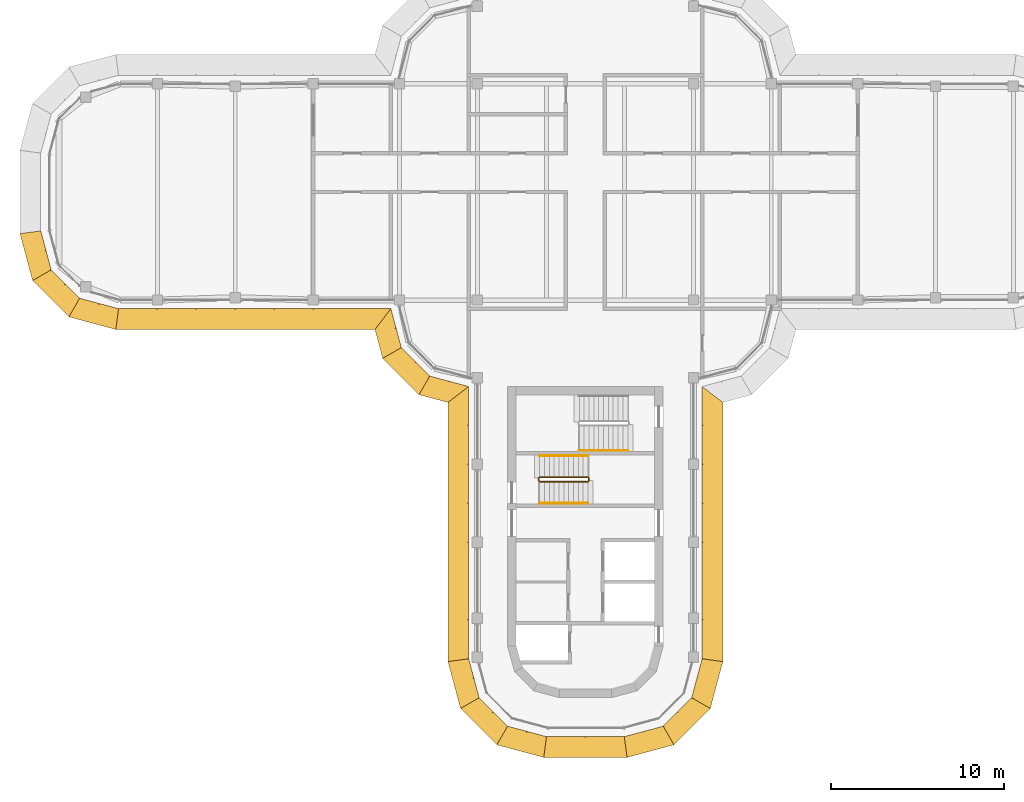
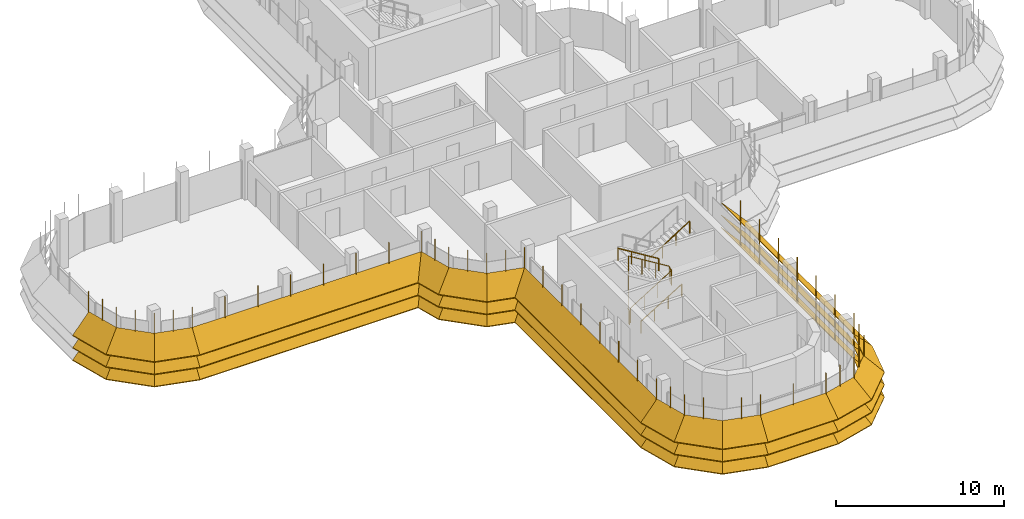
# One storey, part 16 of 19: 8 shading devices, 4 railings.
"""IFC4 building model written with IfcOpenShell, lengths in metres."""

from ifc_helpers import new_model, si_unit, direction, frame, origin, origin_2d, place, context, subcontext, project, spatial, polyline, circle, outline, extrude, faceted_brep, source, transform, mapped, material, type_object, element, save


model = new_model("IFC4")

# Units and contexts
model_context = context("Model", 3, precision=1e-05, world=origin(), true_north=direction((0.0, 1.0)))
body_context = subcontext(model_context, "Body", "Model", "MODEL_VIEW")
ifc_project = project(units=[si_unit("LENGTHUNIT", "METRE"), si_unit("AREAUNIT", "SQUARE_METRE"), si_unit("VOLUMEUNIT", "CUBIC_METRE"), si_unit("PLANEANGLEUNIT", "RADIAN"), si_unit("MASSUNIT", "GRAM", prefix="KILO")], contexts=[model_context])

# Site, building, storey
site_placement = place(None, origin())
site = spatial("IfcSite", under=ifc_project, at=site_placement, CompositionType="ELEMENT")
building_placement = place(site_placement, origin())
building = spatial("IfcBuilding", under=site, at=building_placement, Name="Zarbagh Exchange Tower", CompositionType="ELEMENT")
storey_placement = place(building_placement, frame((0.0, 0.0, 261.199951171875)))
storey = spatial("IfcBuildingStorey", under=building, at=storey_placement, Name="L64", CompositionType="ELEMENT", Elevation=261.199951171875)

# Railings
ifc_material_1 = material(Name="Stainless steel", Category="steel")
railing_type_1 = type_object("IfcRailingType", Name="Stair guard 1100 mm", PredefinedType="GUARDRAIL", material=ifc_material_1)
railing_1_placement = place(storey_placement, frame((-2.64990234375, -16.75, 0.1728515625)))
element("IfcRailing", 1, at=railing_1_placement, inside=storey, type_object=railing_type_1, Name="ST3 stair guard 1", PredefinedType="GUARDRAIL", context=body_context, shape_type="SweptSolid", body=[
    extrude(circle(Radius=0.02392578125, at=origin_2d()), frame((0.0, 0.0, 1.076171875), z_axis=(0.851069175582, 0.0, 0.525053576669), x_axis=(0.0, 1.0, 0.0)), (0.0, 0.0, 1.0), 3.289794921875),
    extrude(circle(Radius=0.02392578125, at=origin_2d()), frame((2.7998046875, 0.0, 2.80322265625), z_axis=(0.707106781187, 0.707106781187, 0.0), x_axis=(-0.707106781187, 0.707106781187, 0.0)), (0.0, 0.0, 1.0), 0.07080078125),
    extrude(circle(Radius=0.02392578125, at=origin_2d()), frame((2.849853515625, 0.050048828125, 2.80322265625), z_axis=(0.0, 1.0, 0.0), x_axis=(-1.0, 0.0, 0.0)), (0.0, 0.0, 1.0), 0.14990234375),
    extrude(circle(Radius=0.02392578125, at=origin_2d()), frame((2.849853515625, 0.199951171875, 2.80322265625), z_axis=(-0.268277960024, 0.268277960024, 0.925231793839), x_axis=(-0.707106781187, -0.707106781187, 0.0)), (0.0, 0.0, 1.0), 0.1865234375),
    extrude(circle(Radius=0.02392578125, at=origin_2d()), frame((2.7998046875, 0.25, 2.97607421875), z_axis=(-0.851069175582, 0.0, 0.525053576669), x_axis=(0.0, -1.0, 0.0)), (0.0, 0.0, 1.0), 3.289794921875),
    extrude(circle(Radius=0.02392578125, at=origin_2d()), frame((0.0, 0.25, 4.703125), z_axis=(-0.013168290981, -0.013168290981, -0.999826581076), x_axis=(0.707106781187, -0.707106781187, 0.0)), (0.0, 0.0, 1.0), 3.80078125),
    extrude(circle(Radius=0.02392578125, at=origin_2d()), frame((-0.050048828125, 0.199951171875, 0.9033203125), z_axis=(0.0, -1.0, 0.0), x_axis=(1.0, 0.0, 0.0)), (0.0, 0.0, 1.0), 0.14990234375),
    extrude(circle(Radius=0.02099609375, at=origin_2d()), origin(), (0.0, 0.0, 1.0), 1.052001953125),
    extrude(circle(Radius=0.02099609375, at=origin_2d()), frame((0.933349609375, 0.0, 0.57568359375)), (0.0, 0.0, 1.0), 1.052001953125),
    extrude(circle(Radius=0.02099609375, at=origin_2d()), frame((1.866455078125, 0.0, 1.151611328125)), (0.0, 0.0, 1.0), 1.052001953125),
    extrude(circle(Radius=0.02099609375, at=origin_2d()), frame((2.7998046875, 0.0, 1.727294921875)), (0.0, 0.0, 1.0), 1.052001953125),
    extrude(circle(Radius=0.02099609375, at=origin_2d()), frame((2.849853515625, 0.050048828125, 1.727294921875)), (0.0, 0.0, 1.0), 1.052001953125),
    extrude(circle(Radius=0.02099609375, at=origin_2d()), frame((2.849853515625, 0.199951171875, 1.727294921875)), (0.0, 0.0, 1.0), 1.052001953125),
    extrude(circle(Radius=0.02099609375, at=origin_2d()), frame((2.7998046875, 0.25, 1.89990234375)), (0.0, 0.0, 1.0), 1.052001953125),
    extrude(circle(Radius=0.02099609375, at=origin_2d()), frame((1.866455078125, 0.25, 2.4755859375)), (0.0, 0.0, 1.0), 1.052001953125),
    extrude(circle(Radius=0.02099609375, at=origin_2d()), frame((0.933349609375, 0.25, 3.051513671875)), (0.0, 0.0, 1.0), 1.052001953125),
    extrude(circle(Radius=0.02099609375, at=origin_2d()), frame((0.0, 0.25, 3.627197265625)), (0.0, 0.0, 1.0), 1.052001953125),
    extrude(circle(Radius=0.02099609375, at=origin_2d()), frame((-0.012451171875, 0.237548828125, 2.67724609375)), (0.0, 0.0, 1.0), 1.052001953125),
    extrude(circle(Radius=0.02099609375, at=origin_2d()), frame((-0.02490234375, 0.22509765625, 1.72705078125)), (0.0, 0.0, 1.0), 1.052001953125),
    extrude(circle(Radius=0.02099609375, at=origin_2d()), frame((-0.03759765625, 0.21240234375, 0.777099609375)), (0.0, 0.0, 1.0), 1.052001953125),
    extrude(circle(Radius=0.02099609375, at=origin_2d()), frame((-0.050048828125, 0.199951171875, -0.1728515625)), (0.0, 0.0, 1.0), 1.052001953125),
    extrude(circle(Radius=0.02099609375, at=origin_2d()), frame((-0.050048828125, 0.050048828125, -0.1728515625)), (0.0, 0.0, 1.0), 1.052001953125),
])
railing_type_2 = type_object("IfcRailingType", Name="Stair handrail 900 mm", PredefinedType="HANDRAIL", material=ifc_material_1)
railing_2_placement = place(storey_placement, frame((-2.64990234375, -18.0, 0.1728515625)))
element("IfcRailing", 2, at=railing_2_placement, inside=storey, type_object=railing_type_2, Name="ST3 stair handrail 1", PredefinedType="HANDRAIL", context=body_context, shape_type="SweptSolid", body=[
    extrude(circle(Radius=0.02392578125, at=origin_2d()), frame((0.0, 0.0, 0.8759765625), z_axis=(0.851069175582, 0.0, 0.525053576669), x_axis=(0.0, 1.0, 0.0)), (0.0, 0.0, 1.0), 3.289794921875),
    extrude(circle(Radius=0.02099609375, at=origin_2d()), origin(), (0.0, 0.0, 1.0), 0.851806640625),
    extrude(circle(Radius=0.02099609375, at=origin_2d()), frame((0.933349609375, 0.0, 0.57568359375)), (0.0, 0.0, 1.0), 0.851806640625),
    extrude(circle(Radius=0.02099609375, at=origin_2d()), frame((1.866455078125, 0.0, 1.151611328125)), (0.0, 0.0, 1.0), 0.851806640625),
    extrude(circle(Radius=0.02099609375, at=origin_2d()), frame((2.7998046875, 0.0, 1.727294921875)), (0.0, 0.0, 1.0), 0.851806640625),
])
railing_3_placement = place(storey_placement, frame((0.14990234375, -15.25, 2.07275390625)))
element("IfcRailing", 3, at=railing_3_placement, inside=storey, type_object=railing_type_2, Name="ST3 stair handrail 2", PredefinedType="HANDRAIL", context=body_context, shape_type="SweptSolid", body=[
    extrude(circle(Radius=0.02392578125, at=origin_2d()), frame((0.0, 0.0, 0.8759765625), z_axis=(-0.851069175582, 0.0, 0.525053576669), x_axis=(0.0, -1.0, 0.0)), (0.0, 0.0, 1.0), 3.289794921875),
    extrude(circle(Radius=0.02099609375, at=origin_2d()), origin(), (0.0, 0.0, 1.0), 0.851806640625),
    extrude(circle(Radius=0.02099609375, at=origin_2d()), frame((-0.933349609375, 0.0, 0.57568359375)), (0.0, 0.0, 1.0), 0.851806640625),
    extrude(circle(Radius=0.02099609375, at=origin_2d()), frame((-1.866455078125, 0.0, 1.151611328125)), (0.0, 0.0, 1.0), 0.851806640625),
    extrude(circle(Radius=0.02099609375, at=origin_2d()), frame((-2.7998046875, 0.0, 1.727294921875)), (0.0, 0.0, 1.0), 0.851806640625),
])
railing_4_placement = place(storey_placement, frame((-0.35009765625, -14.949951171875, 2.07275390625)))
element("IfcRailing", 4, at=railing_4_placement, inside=storey, type_object=railing_type_2, Name="ST4 stair handrail 2", PredefinedType="HANDRAIL", context=body_context, shape_type="SweptSolid", body=[
    extrude(circle(Radius=0.02392578125, at=origin_2d()), frame((0.0, 0.0, 0.8759765625), z_axis=(0.851089632645, 0.0, 0.525020415988), x_axis=(0.0, 1.0, 0.0)), (0.0, 0.0, 1.0), 3.2900390625),
    extrude(circle(Radius=0.02099609375, at=origin_2d()), origin(), (0.0, 0.0, 1.0), 0.851806640625),
    extrude(circle(Radius=0.02099609375, at=origin_2d()), frame((0.933349609375, 0.0, 0.57568359375)), (0.0, 0.0, 1.0), 0.851806640625),
    extrude(circle(Radius=0.02099609375, at=origin_2d()), frame((1.86669921875, 0.0, 1.151611328125)), (0.0, 0.0, 1.0), 0.851806640625),
    extrude(circle(Radius=0.02099609375, at=origin_2d()), frame((2.800048828125, 0.0, 1.727294921875)), (0.0, 0.0, 1.0), 0.851806640625),
])

# Shading devices
ifc_material_2 = material(Name="Anodised aluminium blades and brackets", Category="aluminium")
shading_device_type = type_object("IfcShadingDeviceType", Name="SUNSHADE louvre band, 45 degree blades", PredefinedType="JALOUSIE", material=ifc_material_2)
shared_shape_1 = source(origin(), body_context, "Body", "Brep", [
    faceted_brep([(0.0, 0.0, 0.0), (0.0, 0.0, -0.056640625), (-0.157958984375, -1.199951171875, -1.256591796875), (-0.157958984375, -1.199951171875, -1.199951171875), (2.65087890625, -1.199951171875, -1.199951171875), (2.65087890625, -1.199951171875, -1.256591796875), (2.329345703125, 0.0, -0.056640625), (2.329345703125, 0.0, 0.0)], [[[0, 1, 2, 3]], [[4, 5, 6, 7]], [[0, 7, 6, 1]], [[1, 6, 5, 2]], [[2, 5, 4, 3]], [[3, 4, 7, 0]]]),
])
shared_shape_2 = source(origin(), body_context, "Body", "Brep", [
    faceted_brep([(0.0, 0.0, 0.0), (0.0, 0.0, -0.056640625), (-0.321533203125, -1.199951171875, -1.256591796875), (-0.321533203125, -1.199951171875, -1.199951171875), (2.65087890625, -1.199951171875, -1.199951171875), (2.65087890625, -1.199951171875, -1.256591796875), (2.329345703125, 0.0, -0.056640625), (2.329345703125, 0.0, 0.0)], [[[0, 1, 2, 3]], [[4, 5, 6, 7]], [[0, 7, 6, 1]], [[1, 6, 5, 2]], [[2, 5, 4, 3]], [[3, 4, 7, 0]]]),
])
shared_shape_3 = source(origin(), body_context, "Body", "Brep", [
    faceted_brep([(0.0, 0.0, 0.0), (0.0, 0.0, -0.056640625), (-0.321533203125, -1.199951171875, -1.256591796875), (-0.321533203125, -1.199951171875, -1.199951171875), (2.4873046875, -1.199951171875, -1.199951171875), (2.4873046875, -1.199951171875, -1.256591796875), (2.329345703125, 0.0, -0.056640625), (2.329345703125, 0.0, 0.0)], [[[0, 1, 2, 3]], [[4, 5, 6, 7]], [[0, 7, 6, 1]], [[1, 6, 5, 2]], [[2, 5, 4, 3]], [[3, 4, 7, 0]]]),
])
shared_shape_4 = source(origin(), body_context, "Body", "SweptSolid", [
    extrude(outline(polyline([(0.0, -0.012451171875), (0.06005859375, -0.012451171875), (0.06005859375, 0.012451171875), (0.0, 0.012451171875), (0.0, -0.012451171875)])), origin(), (0.0, 0.0, 1.0), 3.366455078125),
])
placement = place(storey_placement, origin())
element("IfcShadingDevice", 5, at=placement, inside=storey, type_object=shading_device_type, Name="SS35 sunshade band", PredefinedType="JALOUSIE", context=body_context, shape_type="MappedRepresentation", body=[
    mapped(shared_shape_1, transform((2.25, -31.5, 2.300048828125), x_axis=(0.965924289636, 0.258824779902, 0.0), y_axis=(-0.258824779902, 0.965924289636, 0.0), z_axis=(0.0, 0.0, 1.0))),
    mapped(shared_shape_1, transform((2.25, -31.5, 1.400146484375), x_axis=(0.965924289636, 0.258824779902, 0.0), y_axis=(-0.258824779902, 0.965924289636, 0.0), z_axis=(0.0, 0.0, 1.0))),
    mapped(shared_shape_1, transform((2.25, -31.5, 0.5), x_axis=(0.965924289636, 0.258824779902, 0.0), y_axis=(-0.258824779902, 0.965924289636, 0.0), z_axis=(0.0, 0.0, 1.0))),
    mapped(shared_shape_2, transform((4.5, -30.897216796875, 2.300048828125), x_axis=(0.707106781187, 0.707106781187, 0.0), y_axis=(-0.707106781187, 0.707106781187, 0.0), z_axis=(0.0, 0.0, 1.0))),
    mapped(shared_shape_2, transform((4.5, -30.897216796875, 1.400146484375), x_axis=(0.707106781187, 0.707106781187, 0.0), y_axis=(-0.707106781187, 0.707106781187, 0.0), z_axis=(0.0, 0.0, 1.0))),
    mapped(shared_shape_2, transform((4.5, -30.897216796875, 0.5), x_axis=(0.707106781187, 0.707106781187, 0.0), y_axis=(-0.707106781187, 0.707106781187, 0.0), z_axis=(0.0, 0.0, 1.0))),
    mapped(shared_shape_3, transform((6.147216796875, -29.25, 2.300048828125), x_axis=(0.258824779902, 0.965924289636, 0.0), y_axis=(-0.965924289636, 0.258824779902, 0.0), z_axis=(0.0, 0.0, 1.0))),
    mapped(shared_shape_3, transform((6.147216796875, -29.25, 1.400146484375), x_axis=(0.258824779902, 0.965924289636, 0.0), y_axis=(-0.965924289636, 0.258824779902, 0.0), z_axis=(0.0, 0.0, 1.0))),
    mapped(shared_shape_3, transform((6.147216796875, -29.25, 0.5), x_axis=(0.258824779902, 0.965924289636, 0.0), y_axis=(-0.965924289636, 0.258824779902, 0.0), z_axis=(0.0, 0.0, 1.0))),
    mapped(shared_shape_4, transform((2.25, -31.5, 0.41357421875), x_axis=(0.130529263012, -0.991444457092, 0.0), y_axis=(0.991444457092, 0.130529263012, 0.0), z_axis=(0.0, 0.0, 1.0))),
    mapped(shared_shape_4, transform((3.375, -31.198486328125, 0.41357421875), x_axis=(0.258825058029, -0.96592421511, 0.0), y_axis=(0.96592421511, 0.258825058029, 0.0), z_axis=(0.0, 0.0, 1.0))),
    mapped(shared_shape_4, transform((4.5, -30.897216796875, 0.41357421875), x_axis=(0.50000275701, -0.866023812018, 0.0), y_axis=(0.866023812018, 0.50000275701, 0.0), z_axis=(0.0, 0.0, 1.0))),
    mapped(shared_shape_4, transform((5.323486328125, -30.073486328125, 0.41357421875), x_axis=(0.707106781187, -0.707106781187, 0.0), y_axis=(0.707106781187, 0.707106781187, 0.0), z_axis=(0.0, 0.0, 1.0))),
    mapped(shared_shape_4, transform((6.147216796875, -29.25, 0.41357421875), x_axis=(0.866023812018, -0.50000275701, 0.0), y_axis=(0.50000275701, 0.866023812018, 0.0), z_axis=(0.0, 0.0, 1.0))),
    mapped(shared_shape_4, transform((6.448486328125, -28.125, 0.41357421875), x_axis=(0.96592421511, -0.258825058029, 0.0), y_axis=(0.258825058029, 0.96592421511, 0.0), z_axis=(0.0, 0.0, 1.0))),
])
element("IfcShadingDevice", 6, at=placement, inside=storey, type_object=shading_device_type, Name="SS43 sunshade band", PredefinedType="JALOUSIE", context=body_context, shape_type="MappedRepresentation", body=[
    mapped(shared_shape_1, transform((-31.5, -2.25, 2.300048828125), x_axis=(0.258824779902, -0.965924289636, 0.0), y_axis=(0.965924289636, 0.258824779902, 0.0), z_axis=(0.0, 0.0, 1.0))),
    mapped(shared_shape_1, transform((-31.5, -2.25, 1.400146484375), x_axis=(0.258824779902, -0.965924289636, 0.0), y_axis=(0.965924289636, 0.258824779902, 0.0), z_axis=(0.0, 0.0, 1.0))),
    mapped(shared_shape_1, transform((-31.5, -2.25, 0.5), x_axis=(0.258824779902, -0.965924289636, 0.0), y_axis=(0.965924289636, 0.258824779902, 0.0), z_axis=(0.0, 0.0, 1.0))),
    mapped(shared_shape_2, transform((-30.897216796875, -4.5, 2.300048828125), x_axis=(0.707106781187, -0.707106781187, 0.0), y_axis=(0.707106781187, 0.707106781187, 0.0), z_axis=(0.0, 0.0, 1.0))),
    mapped(shared_shape_2, transform((-30.897216796875, -4.5, 1.400146484375), x_axis=(0.707106781187, -0.707106781187, 0.0), y_axis=(0.707106781187, 0.707106781187, 0.0), z_axis=(0.0, 0.0, 1.0))),
    mapped(shared_shape_2, transform((-30.897216796875, -4.5, 0.5), x_axis=(0.707106781187, -0.707106781187, 0.0), y_axis=(0.707106781187, 0.707106781187, 0.0), z_axis=(0.0, 0.0, 1.0))),
    mapped(shared_shape_3, transform((-29.25, -6.147216796875, 2.300048828125), x_axis=(0.965924289636, -0.258824779902, 0.0), y_axis=(0.258824779902, 0.965924289636, 0.0), z_axis=(0.0, 0.0, 1.0))),
    mapped(shared_shape_3, transform((-29.25, -6.147216796875, 1.400146484375), x_axis=(0.965924289636, -0.258824779902, 0.0), y_axis=(0.258824779902, 0.965924289636, 0.0), z_axis=(0.0, 0.0, 1.0))),
    mapped(shared_shape_3, transform((-29.25, -6.147216796875, 0.5), x_axis=(0.965924289636, -0.258824779902, 0.0), y_axis=(0.258824779902, 0.965924289636, 0.0), z_axis=(0.0, 0.0, 1.0))),
    mapped(shared_shape_4, transform((-31.5, -2.25, 0.41357421875), x_axis=(-0.991444457092, -0.130529263012, 0.0), y_axis=(0.130529263012, -0.991444457092, 0.0), z_axis=(0.0, 0.0, 1.0))),
    mapped(shared_shape_4, transform((-31.198486328125, -3.375, 0.41357421875), x_axis=(-0.96592421511, -0.258825058029, 0.0), y_axis=(0.258825058029, -0.96592421511, 0.0), z_axis=(0.0, 0.0, 1.0))),
    mapped(shared_shape_4, transform((-30.897216796875, -4.5, 0.41357421875), x_axis=(-0.866023812018, -0.50000275701, 0.0), y_axis=(0.50000275701, -0.866023812018, 0.0), z_axis=(0.0, 0.0, 1.0))),
    mapped(shared_shape_4, transform((-30.073486328125, -5.323486328125, 0.41357421875), x_axis=(-0.707106781187, -0.707106781187, 0.0), y_axis=(0.707106781187, -0.707106781187, 0.0), z_axis=(0.0, 0.0, 1.0))),
    mapped(shared_shape_4, transform((-29.25, -6.147216796875, 0.41357421875), x_axis=(-0.50000275701, -0.866023812018, 0.0), y_axis=(0.866023812018, -0.50000275701, 0.0), z_axis=(0.0, 0.0, 1.0))),
    mapped(shared_shape_4, transform((-28.125, -6.448486328125, 0.41357421875), x_axis=(-0.258825058029, -0.96592421511, 0.0), y_axis=(0.96592421511, -0.258825058029, 0.0), z_axis=(0.0, 0.0, 1.0))),
])
element("IfcShadingDevice", 7, at=placement, inside=storey, type_object=shading_device_type, Name="SS38 sunshade band", PredefinedType="JALOUSIE", context=body_context, shape_type="MappedRepresentation", body=[
    mapped(shared_shape_1, transform((-6.75, -27.0, 2.300048828125), x_axis=(0.258824779902, -0.965924289636, 0.0), y_axis=(0.965924289636, 0.258824779902, 0.0), z_axis=(0.0, 0.0, 1.0))),
    mapped(shared_shape_1, transform((-6.75, -27.0, 1.400146484375), x_axis=(0.258824779902, -0.965924289636, 0.0), y_axis=(0.965924289636, 0.258824779902, 0.0), z_axis=(0.0, 0.0, 1.0))),
    mapped(shared_shape_1, transform((-6.75, -27.0, 0.5), x_axis=(0.258824779902, -0.965924289636, 0.0), y_axis=(0.965924289636, 0.258824779902, 0.0), z_axis=(0.0, 0.0, 1.0))),
    mapped(shared_shape_2, transform((-6.147216796875, -29.25, 2.300048828125), x_axis=(0.707106781187, -0.707106781187, 0.0), y_axis=(0.707106781187, 0.707106781187, 0.0), z_axis=(0.0, 0.0, 1.0))),
    mapped(shared_shape_2, transform((-6.147216796875, -29.25, 1.400146484375), x_axis=(0.707106781187, -0.707106781187, 0.0), y_axis=(0.707106781187, 0.707106781187, 0.0), z_axis=(0.0, 0.0, 1.0))),
    mapped(shared_shape_2, transform((-6.147216796875, -29.25, 0.5), x_axis=(0.707106781187, -0.707106781187, 0.0), y_axis=(0.707106781187, 0.707106781187, 0.0), z_axis=(0.0, 0.0, 1.0))),
    mapped(shared_shape_3, transform((-4.5, -30.897216796875, 2.300048828125), x_axis=(0.965924289636, -0.258824779902, 0.0), y_axis=(0.258824779902, 0.965924289636, 0.0), z_axis=(0.0, 0.0, 1.0))),
    mapped(shared_shape_3, transform((-4.5, -30.897216796875, 1.400146484375), x_axis=(0.965924289636, -0.258824779902, 0.0), y_axis=(0.258824779902, 0.965924289636, 0.0), z_axis=(0.0, 0.0, 1.0))),
    mapped(shared_shape_3, transform((-4.5, -30.897216796875, 0.5), x_axis=(0.965924289636, -0.258824779902, 0.0), y_axis=(0.258824779902, 0.965924289636, 0.0), z_axis=(0.0, 0.0, 1.0))),
    mapped(shared_shape_4, transform((-6.75, -27.0, 0.41357421875), x_axis=(-0.991444457092, -0.130529263012, 0.0), y_axis=(0.130529263012, -0.991444457092, 0.0), z_axis=(0.0, 0.0, 1.0))),
    mapped(shared_shape_4, transform((-6.448486328125, -28.125, 0.41357421875), x_axis=(-0.96592421511, -0.258825058029, 0.0), y_axis=(0.258825058029, -0.96592421511, 0.0), z_axis=(0.0, 0.0, 1.0))),
    mapped(shared_shape_4, transform((-6.147216796875, -29.25, 0.41357421875), x_axis=(-0.866023812018, -0.50000275701, 0.0), y_axis=(0.50000275701, -0.866023812018, 0.0), z_axis=(0.0, 0.0, 1.0))),
    mapped(shared_shape_4, transform((-5.323486328125, -30.073486328125, 0.41357421875), x_axis=(-0.707106781187, -0.707106781187, 0.0), y_axis=(0.707106781187, -0.707106781187, 0.0), z_axis=(0.0, 0.0, 1.0))),
    mapped(shared_shape_4, transform((-4.5, -30.897216796875, 0.41357421875), x_axis=(-0.50000275701, -0.866023812018, 0.0), y_axis=(0.866023812018, -0.50000275701, 0.0), z_axis=(0.0, 0.0, 1.0))),
    mapped(shared_shape_4, transform((-3.375, -31.198486328125, 0.41357421875), x_axis=(-0.258825058029, -0.96592421511, 0.0), y_axis=(0.96592421511, -0.258825058029, 0.0), z_axis=(0.0, 0.0, 1.0))),
])
shared_shape_5 = source(origin(), body_context, "Body", "Brep", [
    faceted_brep([(0.0, 0.0, 0.0), (0.0, 0.0, -0.056640625), (0.9208984375, -1.199951171875, -1.256591796875), (0.9208984375, -1.199951171875, -1.199951171875), (2.65087890625, -1.199951171875, -1.199951171875), (2.65087890625, -1.199951171875, -1.256591796875), (2.329345703125, 0.0, -0.056640625), (2.329345703125, 0.0, 0.0)], [[[0, 1, 2, 3]], [[4, 5, 6, 7]], [[0, 7, 6, 1]], [[1, 6, 5, 2]], [[2, 5, 4, 3]], [[3, 4, 7, 0]]]),
])
shared_shape_6 = source(origin(), body_context, "Body", "Brep", [
    faceted_brep([(0.0, 0.0, 0.0), (0.0, 0.0, -0.056640625), (-0.321533203125, -1.199951171875, -1.256591796875), (-0.321533203125, -1.199951171875, -1.199951171875), (1.40869140625, -1.199951171875, -1.199951171875), (1.40869140625, -1.199951171875, -1.256591796875), (2.329345703125, 0.0, -0.056640625), (2.329345703125, 0.0, 0.0)], [[[0, 1, 2, 3]], [[4, 5, 6, 7]], [[0, 7, 6, 1]], [[1, 6, 5, 2]], [[2, 5, 4, 3]], [[3, 4, 7, 0]]]),
])
element("IfcShadingDevice", 8, at=placement, inside=storey, type_object=shading_device_type, Name="SS21 sunshade band", PredefinedType="JALOUSIE", context=body_context, shape_type="MappedRepresentation", body=[
    mapped(shared_shape_5, transform((-11.25, -6.75, 2.300048828125), x_axis=(0.258824779902, -0.965924289636, 0.0), y_axis=(0.965924289636, 0.258824779902, 0.0), z_axis=(0.0, 0.0, 1.0))),
    mapped(shared_shape_5, transform((-11.25, -6.75, 1.400146484375), x_axis=(0.258824779902, -0.965924289636, 0.0), y_axis=(0.965924289636, 0.258824779902, 0.0), z_axis=(0.0, 0.0, 1.0))),
    mapped(shared_shape_5, transform((-11.25, -6.75, 0.5), x_axis=(0.258824779902, -0.965924289636, 0.0), y_axis=(0.965924289636, 0.258824779902, 0.0), z_axis=(0.0, 0.0, 1.0))),
    mapped(shared_shape_2, transform((-10.647216796875, -9.0, 2.300048828125), x_axis=(0.707106781187, -0.707106781187, 0.0), y_axis=(0.707106781187, 0.707106781187, 0.0), z_axis=(0.0, 0.0, 1.0))),
    mapped(shared_shape_2, transform((-10.647216796875, -9.0, 1.400146484375), x_axis=(0.707106781187, -0.707106781187, 0.0), y_axis=(0.707106781187, 0.707106781187, 0.0), z_axis=(0.0, 0.0, 1.0))),
    mapped(shared_shape_2, transform((-10.647216796875, -9.0, 0.5), x_axis=(0.707106781187, -0.707106781187, 0.0), y_axis=(0.707106781187, 0.707106781187, 0.0), z_axis=(0.0, 0.0, 1.0))),
    mapped(shared_shape_6, transform((-9.0, -10.647216796875, 2.300048828125), x_axis=(0.965924289636, -0.258824779902, 0.0), y_axis=(0.258824779902, 0.965924289636, 0.0), z_axis=(0.0, 0.0, 1.0))),
    mapped(shared_shape_6, transform((-9.0, -10.647216796875, 1.400146484375), x_axis=(0.965924289636, -0.258824779902, 0.0), y_axis=(0.258824779902, 0.965924289636, 0.0), z_axis=(0.0, 0.0, 1.0))),
    mapped(shared_shape_6, transform((-9.0, -10.647216796875, 0.5), x_axis=(0.965924289636, -0.258824779902, 0.0), y_axis=(0.258824779902, 0.965924289636, 0.0), z_axis=(0.0, 0.0, 1.0))),
    mapped(shared_shape_4, transform((-11.25, -6.75, 0.41357421875), x_axis=(-0.608758892, -0.793355287, 0.0), y_axis=(0.793355287, -0.608758892, 0.0), z_axis=(0.0, 0.0, 1.0))),
    mapped(shared_shape_4, transform((-10.948486328125, -7.875, 0.41357421875), x_axis=(-0.96592421511, -0.258825058029, 0.0), y_axis=(0.258825058029, -0.96592421511, 0.0), z_axis=(0.0, 0.0, 1.0))),
    mapped(shared_shape_4, transform((-10.647216796875, -9.0, 0.41357421875), x_axis=(-0.866023812018, -0.50000275701, 0.0), y_axis=(0.50000275701, -0.866023812018, 0.0), z_axis=(0.0, 0.0, 1.0))),
    mapped(shared_shape_4, transform((-9.823486328125, -9.823486328125, 0.41357421875), x_axis=(-0.707106781187, -0.707106781187, 0.0), y_axis=(0.707106781187, -0.707106781187, 0.0), z_axis=(0.0, 0.0, 1.0))),
    mapped(shared_shape_4, transform((-9.0, -10.647216796875, 0.41357421875), x_axis=(-0.50000275701, -0.866023812018, 0.0), y_axis=(0.866023812018, -0.50000275701, 0.0), z_axis=(0.0, 0.0, 1.0))),
    mapped(shared_shape_4, transform((-7.875, -10.948486328125, 0.41357421875), x_axis=(-0.258825058029, -0.96592421511, 0.0), y_axis=(0.96592421511, -0.258825058029, 0.0), z_axis=(0.0, 0.0, 1.0))),
])
shared_shape_7 = source(origin(), body_context, "Body", "Brep", [
    faceted_brep([(0.0, 0.0, 0.0), (0.0, 0.0, -0.056640625), (-0.157958984375, -1.199951171875, -1.256591796875), (-0.157958984375, -1.199951171875, -1.199951171875), (14.8291015625, -1.199951171875, -1.199951171875), (14.8291015625, -1.199951171875, -1.256591796875), (15.75, 0.0, -0.056640625), (15.75, 0.0, 0.0)], [[[0, 1, 2, 3]], [[4, 5, 6, 7]], [[0, 7, 6, 1]], [[1, 6, 5, 2]], [[2, 5, 4, 3]], [[3, 4, 7, 0]]]),
])
element("IfcShadingDevice", 9, at=placement, inside=storey, type_object=shading_device_type, Name="SS36 sunshade band", PredefinedType="JALOUSIE", context=body_context, shape_type="MappedRepresentation", body=[
    mapped(shared_shape_7, transform((6.75, -27.0, 2.300048828125), x_axis=(0.0, 1.0, 0.0), y_axis=(-1.0, 0.0, 0.0), z_axis=(0.0, 0.0, 1.0))),
    mapped(shared_shape_7, transform((6.75, -27.0, 1.400146484375), x_axis=(0.0, 1.0, 0.0), y_axis=(-1.0, 0.0, 0.0), z_axis=(0.0, 0.0, 1.0))),
    mapped(shared_shape_7, transform((6.75, -27.0, 0.5), x_axis=(0.0, 1.0, 0.0), y_axis=(-1.0, 0.0, 0.0), z_axis=(0.0, 0.0, 1.0))),
    mapped(shared_shape_4, transform((6.75, -27.0, 0.41357421875), x_axis=(0.991444457092, -0.130529263012, 0.0), y_axis=(0.130529263012, 0.991444457092, 0.0), z_axis=(0.0, 0.0, 1.0))),
    mapped(shared_shape_4, transform((6.75, -24.75, 0.41357421875), x_axis=(1.0, 0.0, 0.0), y_axis=(0.0, 1.0, 0.0), z_axis=(0.0, 0.0, 1.0))),
    mapped(shared_shape_4, transform((6.75, -22.5, 0.41357421875), x_axis=(1.0, 0.0, 0.0), y_axis=(0.0, 1.0, 0.0), z_axis=(0.0, 0.0, 1.0))),
    mapped(shared_shape_4, transform((6.75, -20.25, 0.41357421875), x_axis=(1.0, 0.0, 0.0), y_axis=(0.0, 1.0, 0.0), z_axis=(0.0, 0.0, 1.0))),
    mapped(shared_shape_4, transform((6.75, -18.0, 0.41357421875), x_axis=(1.0, 0.0, 0.0), y_axis=(0.0, 1.0, 0.0), z_axis=(0.0, 0.0, 1.0))),
    mapped(shared_shape_4, transform((6.75, -15.75, 0.41357421875), x_axis=(1.0, 0.0, 0.0), y_axis=(0.0, 1.0, 0.0), z_axis=(0.0, 0.0, 1.0))),
    mapped(shared_shape_4, transform((6.75, -13.5, 0.41357421875), x_axis=(1.0, 0.0, 0.0), y_axis=(0.0, 1.0, 0.0), z_axis=(0.0, 0.0, 1.0))),
])
element("IfcShadingDevice", 10, at=placement, inside=storey, type_object=shading_device_type, Name="SS44 sunshade band", PredefinedType="JALOUSIE", context=body_context, shape_type="MappedRepresentation", body=[
    mapped(shared_shape_7, transform((-27.0, -6.75, 2.300048828125), x_axis=(1.0, 0.0, 0.0), y_axis=(0.0, 1.0, 0.0), z_axis=(0.0, 0.0, 1.0))),
    mapped(shared_shape_7, transform((-27.0, -6.75, 1.400146484375), x_axis=(1.0, 0.0, 0.0), y_axis=(0.0, 1.0, 0.0), z_axis=(0.0, 0.0, 1.0))),
    mapped(shared_shape_7, transform((-27.0, -6.75, 0.5), x_axis=(1.0, 0.0, 0.0), y_axis=(0.0, 1.0, 0.0), z_axis=(0.0, 0.0, 1.0))),
    mapped(shared_shape_4, transform((-27.0, -6.75, 0.41357421875), x_axis=(-0.130529263012, -0.991444457092, 0.0), y_axis=(0.991444457092, -0.130529263012, 0.0), z_axis=(0.0, 0.0, 1.0))),
    mapped(shared_shape_4, transform((-24.75, -6.75, 0.41357421875), x_axis=(0.0, -1.0, 0.0), y_axis=(1.0, 0.0, 0.0), z_axis=(0.0, 0.0, 1.0))),
    mapped(shared_shape_4, transform((-22.5, -6.75, 0.41357421875), x_axis=(0.0, -1.0, 0.0), y_axis=(1.0, 0.0, 0.0), z_axis=(0.0, 0.0, 1.0))),
    mapped(shared_shape_4, transform((-20.25, -6.75, 0.41357421875), x_axis=(0.0, -1.0, 0.0), y_axis=(1.0, 0.0, 0.0), z_axis=(0.0, 0.0, 1.0))),
    mapped(shared_shape_4, transform((-18.0, -6.75, 0.41357421875), x_axis=(0.0, -1.0, 0.0), y_axis=(1.0, 0.0, 0.0), z_axis=(0.0, 0.0, 1.0))),
    mapped(shared_shape_4, transform((-15.75, -6.75, 0.41357421875), x_axis=(0.0, -1.0, 0.0), y_axis=(1.0, 0.0, 0.0), z_axis=(0.0, 0.0, 1.0))),
    mapped(shared_shape_4, transform((-13.5, -6.75, 0.41357421875), x_axis=(0.0, -1.0, 0.0), y_axis=(1.0, 0.0, 0.0), z_axis=(0.0, 0.0, 1.0))),
])
shared_shape_8 = source(origin(), body_context, "Body", "Brep", [
    faceted_brep([(0.0, 0.0, 0.0), (0.0, 0.0, -0.056640625), (0.9208984375, -1.199951171875, -1.256591796875), (0.9208984375, -1.199951171875, -1.199951171875), (15.907958984375, -1.199951171875, -1.199951171875), (15.907958984375, -1.199951171875, -1.256591796875), (15.75, 0.0, -0.056640625), (15.75, 0.0, 0.0)], [[[0, 1, 2, 3]], [[4, 5, 6, 7]], [[0, 7, 6, 1]], [[1, 6, 5, 2]], [[2, 5, 4, 3]], [[3, 4, 7, 0]]]),
])
element("IfcShadingDevice", 11, at=placement, inside=storey, type_object=shading_device_type, Name="SS37 sunshade band", PredefinedType="JALOUSIE", context=body_context, shape_type="MappedRepresentation", body=[
    mapped(shared_shape_8, transform((-6.75, -11.25, 2.300048828125), x_axis=(0.0, -1.0, 0.0), y_axis=(1.0, 0.0, 0.0), z_axis=(0.0, 0.0, 1.0))),
    mapped(shared_shape_8, transform((-6.75, -11.25, 1.400146484375), x_axis=(0.0, -1.0, 0.0), y_axis=(1.0, 0.0, 0.0), z_axis=(0.0, 0.0, 1.0))),
    mapped(shared_shape_8, transform((-6.75, -11.25, 0.5), x_axis=(0.0, -1.0, 0.0), y_axis=(1.0, 0.0, 0.0), z_axis=(0.0, 0.0, 1.0))),
    mapped(shared_shape_4, transform((-6.75, -11.25, 0.41357421875), x_axis=(-0.793355287, -0.608758892, 0.0), y_axis=(0.608758892, -0.793355287, 0.0), z_axis=(0.0, 0.0, 1.0))),
    mapped(shared_shape_4, transform((-6.75, -13.5, 0.41357421875), x_axis=(-1.0, 0.0, 0.0), y_axis=(0.0, -1.0, 0.0), z_axis=(0.0, 0.0, 1.0))),
    mapped(shared_shape_4, transform((-6.75, -15.75, 0.41357421875), x_axis=(-1.0, 0.0, 0.0), y_axis=(0.0, -1.0, 0.0), z_axis=(0.0, 0.0, 1.0))),
    mapped(shared_shape_4, transform((-6.75, -18.0, 0.41357421875), x_axis=(-1.0, 0.0, 0.0), y_axis=(0.0, -1.0, 0.0), z_axis=(0.0, 0.0, 1.0))),
    mapped(shared_shape_4, transform((-6.75, -20.25, 0.41357421875), x_axis=(-1.0, 0.0, 0.0), y_axis=(0.0, -1.0, 0.0), z_axis=(0.0, 0.0, 1.0))),
    mapped(shared_shape_4, transform((-6.75, -22.5, 0.41357421875), x_axis=(-1.0, 0.0, 0.0), y_axis=(0.0, -1.0, 0.0), z_axis=(0.0, 0.0, 1.0))),
    mapped(shared_shape_4, transform((-6.75, -24.75, 0.41357421875), x_axis=(-1.0, 0.0, 0.0), y_axis=(0.0, -1.0, 0.0), z_axis=(0.0, 0.0, 1.0))),
])
shared_shape_9 = source(origin(), body_context, "Body", "Brep", [
    faceted_brep([(0.0, 0.0, 0.0), (0.0, 0.0, -0.056640625), (-0.157958984375, -1.199951171875, -1.256591796875), (-0.157958984375, -1.199951171875, -1.199951171875), (4.657958984375, -1.199951171875, -1.199951171875), (4.657958984375, -1.199951171875, -1.256591796875), (4.5, 0.0, -0.056640625), (4.5, 0.0, 0.0)], [[[0, 1, 2, 3]], [[4, 5, 6, 7]], [[0, 7, 6, 1]], [[1, 6, 5, 2]], [[2, 5, 4, 3]], [[3, 4, 7, 0]]]),
])
element("IfcShadingDevice", 12, at=placement, inside=storey, type_object=shading_device_type, Name="SS39 sunshade band", PredefinedType="JALOUSIE", context=body_context, shape_type="MappedRepresentation", body=[
    mapped(shared_shape_9, transform((-2.25, -31.5, 2.300048828125), x_axis=(1.0, 0.0, 0.0), y_axis=(0.0, 1.0, 0.0), z_axis=(0.0, 0.0, 1.0))),
    mapped(shared_shape_9, transform((-2.25, -31.5, 1.400146484375), x_axis=(1.0, 0.0, 0.0), y_axis=(0.0, 1.0, 0.0), z_axis=(0.0, 0.0, 1.0))),
    mapped(shared_shape_9, transform((-2.25, -31.5, 0.5), x_axis=(1.0, 0.0, 0.0), y_axis=(0.0, 1.0, 0.0), z_axis=(0.0, 0.0, 1.0))),
    mapped(shared_shape_4, transform((-2.25, -31.5, 0.41357421875), x_axis=(-0.130529263012, -0.991444457092, 0.0), y_axis=(0.991444457092, -0.130529263012, 0.0), z_axis=(0.0, 0.0, 1.0))),
    mapped(shared_shape_4, transform((0.0, -31.5, 0.41357421875), x_axis=(0.0, -1.0, 0.0), y_axis=(1.0, 0.0, 0.0), z_axis=(0.0, 0.0, 1.0))),
])

save(model, "model.ifc")
